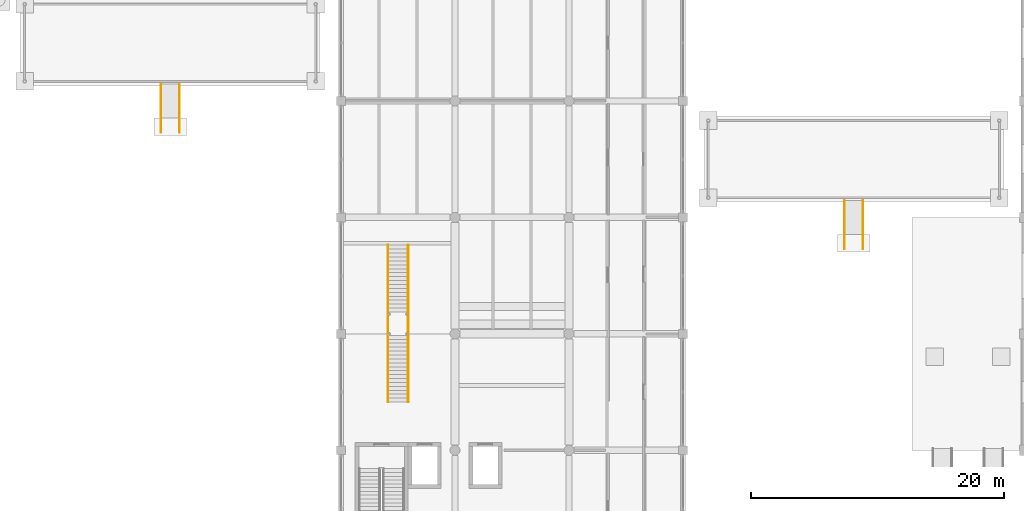
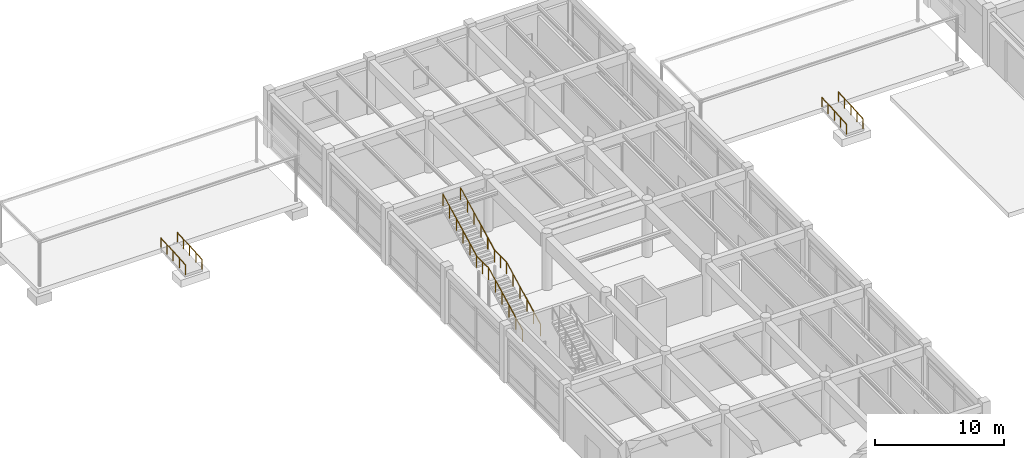
# One storey, part 72 of 76: 10 railings.
"""IFC4 building model written with IfcOpenShell, lengths in metres."""

import ifcopenshell
import ifcopenshell.guid

model = None  # the IFC model being written
_history = None  # IfcOwnerHistory: only IFC2X3 demands one
_inside = {}  # id of a spatial element -> (the spatial element, [elements in it])
_under = {}  # id of a project, library or spatial element -> (it, [spatial elements below it])
_declared = {}  # id of a project -> (the project, [libraries it declares])
_typed = {}  # id of a type object -> (the type object, [elements of that type])
_made_of = {}  # id of a material, layer set ... -> (it, [elements and type objects made of it])


def new_model(schema):
    """Start an empty IFC model of exactly this schema.

    Asked for "IFC4X3", IfcOpenShell would pick the latest addendum, in which some entities
    have other attributes; the version numbers below select the first issue.
    IFC2X3 requires an IfcOwnerHistory on every rooted entity: one is made here for all.
    """
    global model, _history
    if schema == "IFC4X3":
        model = ifcopenshell.file(schema_version=(4, 3, 0, 0))
    else:
        model = ifcopenshell.file(schema=schema)
    _inside.clear()
    _under.clear()
    _declared.clear()
    _typed.clear()
    _made_of.clear()
    _history = None
    if model.schema == "IFC2X3":
        org = make("IfcOrganization", Name="unknown")
        user = make(
            "IfcPersonAndOrganization",
            ThePerson=make("IfcPerson", FamilyName="unknown"),
            TheOrganization=org,
        )
        app = make(
            "IfcApplication",
            ApplicationDeveloper=org,
            Version="unknown",
            ApplicationFullName="unknown",
            ApplicationIdentifier="unknown",
        )
        _history = make(
            "IfcOwnerHistory",
            OwningUser=user,
            OwningApplication=app,
            ChangeAction="ADDED",
            CreationDate=0,
        )
    return model


def make(cls, **values):
    """One entity of the class cls with the attributes given. An attribute that is None is left unset."""
    return model.create_entity(
        cls, **{name: value for name, value in values.items() if value is not None}
    )


def rooted(cls, **values):
    """An entity with a GlobalId (a new one), such as an element, a storey or a relation."""
    return make(cls, GlobalId=ifcopenshell.guid.new(), OwnerHistory=_history, **values)


def si_unit(unit_type, name, prefix=None):
    """IfcSIUnit, for example si_unit("LENGTHUNIT", "METRE", prefix="MILLI")."""
    return make("IfcSIUnit", UnitType=unit_type, Prefix=prefix, Name=name)


def assignment(units):
    """IfcUnitAssignment: the units of a project."""
    return None if units is None else make("IfcUnitAssignment", Units=units)


def point(xyz):
    """IfcCartesianPoint."""
    return None if xyz is None else make("IfcCartesianPoint", Coordinates=xyz)


def direction(xyz):
    """IfcDirection."""
    return None if xyz is None else make("IfcDirection", DirectionRatios=xyz)


def frame(location, z_axis=None, x_axis=None):
    """IfcAxis2Placement3D, a coordinate frame: its origin and axes. An axis left out is left unset."""
    return make(
        "IfcAxis2Placement3D",
        Location=point(location),
        Axis=direction(z_axis),
        RefDirection=direction(x_axis),
    )


def frame_2d(location, x_axis=None):
    """IfcAxis2Placement2D, a coordinate frame in the plane: its origin and x axis."""
    return make(
        "IfcAxis2Placement2D", Location=point(location), RefDirection=direction(x_axis)
    )


def origin():
    """The frame at (0, 0, 0) with its axes left unset."""
    return frame((0.0, 0.0, 0.0))


def origin_2d():
    """The frame at (0, 0) in the plane with its x axis left unset."""
    return frame_2d((0.0, 0.0))


def place(relative_to, where):
    """IfcLocalPlacement: puts the frame where relative to a parent placement (None: the world)."""
    return make(
        "IfcLocalPlacement", PlacementRelTo=relative_to, RelativePlacement=where
    )


def context(
    kind, dimensions, precision=None, world=None, true_north=None, identifier=None
):
    """IfcGeometricRepresentationContext, for example the 3D "Model" context."""
    return make(
        "IfcGeometricRepresentationContext",
        ContextIdentifier=identifier,
        ContextType=kind,
        CoordinateSpaceDimension=dimensions,
        Precision=precision,
        WorldCoordinateSystem=world,
        TrueNorth=true_north,
    )


def subcontext(parent, identifier, kind, view, scale=None):
    """IfcGeometricRepresentationSubContext, for example "Body" below "Model"."""
    return make(
        "IfcGeometricRepresentationSubContext",
        ContextIdentifier=identifier,
        ContextType=kind,
        ParentContext=parent,
        TargetScale=scale,
        TargetView=view,
    )


def project(units=None, contexts=None):
    """IfcProject with its units and contexts."""
    return rooted(
        "IfcProject",
        Name="project",
        RepresentationContexts=contexts,
        UnitsInContext=assignment(units),
    )


def spatial(cls, under=None, at=None, **own):
    """A site, building, storey or space (cls), placed at a placement, below another one or the project."""
    s = rooted(cls, ObjectPlacement=at, **own)
    if under is not None:
        _under.setdefault(under.id(), (under, []))[1].append(s)
    return s


def profile(cls, at=None, kind="AREA", **sizes):
    """A parametric profile (cls). Its sizes go by their IFC names, for example OverallWidth=200.0."""
    return make(cls, ProfileType=kind, Position=at, **sizes)


def circle(**sizes):
    """IfcCircleProfileDef."""
    return profile("IfcCircleProfileDef", **sizes)


def extrude(swept, where, along, depth):
    """IfcExtrudedAreaSolid: the profile swept, set in the frame where, extruded along a direction by depth."""
    return make(
        "IfcExtrudedAreaSolid",
        SweptArea=swept,
        Position=where,
        ExtrudedDirection=direction(along),
        Depth=depth,
    )


def shape(context_of_items, identifier, shape_type, items):
    """IfcShapeRepresentation: the items that make up one representation, for example the "Body"."""
    return make(
        "IfcShapeRepresentation",
        ContextOfItems=context_of_items,
        RepresentationIdentifier=identifier,
        RepresentationType=shape_type,
        Items=items,
    )


def material(Name=None, Category=None):
    """IfcMaterial."""
    return make("IfcMaterial", Name=Name, Category=Category)


def made_of(thing, what):
    """Note that an element or type object is made of a material, layer set ...; save() writes the relation."""
    if what is not None:
        _made_of.setdefault(what.id(), (what, []))[1].append(thing)
    return thing


def type_object(cls, material=None, **own):
    """A type object (cls), such as IfcWallType, which elements share."""
    return made_of(rooted(cls, **own), material)


def element(
    cls,
    number,
    at=None,
    inside=None,
    cuts=None,
    type_object=None,
    material=None,
    context=None,
    identifier="Body",
    shape_type=None,
    held_by="IfcProductDefinitionShape",
    body=None,
    shapes=None,
    **own,
):
    """One element of the class cls, such as IfcWall. Its Tag is "e" and its number.

    at: its placement. inside: the storey or other place that contains it. cuts: it is an
    opening in that element (IfcRelVoidsElement). A single representation is given by context,
    identifier, shape_type and body (its items); several are given by shapes. held_by: the class
    of the entity that holds the representations. save() writes the other relations.
    """
    e = rooted(cls, Tag="e%d" % number, ObjectPlacement=at, **own)
    if body is not None:
        shapes = [shape(context, identifier, shape_type, body)]
    if shapes is not None:
        e.Representation = make(held_by, Representations=shapes)
    if inside is not None:
        _inside.setdefault(inside.id(), (inside, []))[1].append(e)
    if cuts is not None:
        rooted(
            "IfcRelVoidsElement", RelatingBuildingElement=cuts, RelatedOpeningElement=e
        )
    if type_object is not None:
        _typed.setdefault(type_object.id(), (type_object, []))[1].append(e)
    return made_of(e, material)


def aggregate(whole, parts):
    """IfcRelAggregates: a whole, such as a stair, and the parts it consists of."""
    return rooted("IfcRelAggregates", RelatingObject=whole, RelatedObjects=parts)


def save(model, path):
    """Write the relations noted so far, then the file.

    IfcRelAggregates (storeys below a building ...), IfcRelContainedInSpatialStructure (elements
    in a storey), IfcRelDefinesByType, IfcRelAssociatesMaterial and IfcRelDeclares: one each for
    every whole, place, type object, material and project.
    """
    for whole, parts in _under.values():
        aggregate(whole, parts)
    for where, things in _inside.values():
        rooted(
            "IfcRelContainedInSpatialStructure",
            RelatedElements=things,
            RelatingStructure=where,
        )
    for kind, things in _typed.values():
        rooted("IfcRelDefinesByType", RelatedObjects=things, RelatingType=kind)
    for what, things in _made_of.values():
        rooted("IfcRelAssociatesMaterial", RelatedObjects=things, RelatingMaterial=what)
    for by, libraries in _declared.values():
        rooted("IfcRelDeclares", RelatingContext=by, RelatedDefinitions=libraries)
    model.write(path)


model = new_model("IFC4")

# Units and contexts
model_context = context("Model", 3, precision=1e-05, world=origin(), true_north=direction((0.0, 1.0)))
body_context = subcontext(model_context, "Body", "Model", "MODEL_VIEW")
ifc_project = project(units=[si_unit("LENGTHUNIT", "METRE"), si_unit("AREAUNIT", "SQUARE_METRE"), si_unit("VOLUMEUNIT", "CUBIC_METRE"), si_unit("PLANEANGLEUNIT", "RADIAN"), si_unit("MASSUNIT", "GRAM", prefix="KILO")], contexts=[model_context])

# Site, building, storey
site_placement = place(None, origin())
site = spatial("IfcSite", under=ifc_project, at=site_placement, CompositionType="ELEMENT")
building_placement = place(site_placement, origin())
building = spatial("IfcBuilding", under=site, at=building_placement, Name="Bozkorgan Art Gallery", CompositionType="ELEMENT")
storey_placement = place(building_placement, origin())
storey = spatial("IfcBuildingStorey", under=building, at=storey_placement, Name="L00", CompositionType="ELEMENT", Elevation=0.0)

# Railings
ifc_material = material(Name="Steel S355J2", Category="steel")
railing_type_1 = type_object("IfcRailingType", Name="RAIL-GRD-115", PredefinedType="GUARDRAIL", material=ifc_material)
railing_1_placement = place(storey_placement, frame((77.699951171875, 69.81005859375, 0.0)))
element("IfcRailing", 1, at=railing_1_placement, inside=storey, type_object=railing_type_1, Name="ST9 lower guard W", PredefinedType="GUARDRAIL", context=body_context, shape_type="SweptSolid", body=[
    extrude(circle(Radius=0.02392578125, at=origin_2d()), frame((0.0, 0.0, 1.1259765625), z_axis=(0.0, 0.889997253095, 0.455965886314), x_axis=(-1.0, 0.0, 0.0)), (0.0, 0.0, 1.0), 5.92138671875),
    extrude(circle(Radius=0.02099609375, at=origin_2d()), origin(), (0.0, 0.0, 1.0), 1.101806640625),
    extrude(circle(Radius=0.02099609375, at=origin_2d()), frame((0.0, 1.053955078125, 0.5400390625)), (0.0, 0.0, 1.0), 1.101806640625),
    extrude(circle(Radius=0.02099609375, at=origin_2d()), frame((0.0, 2.10791015625, 1.080078125)), (0.0, 0.0, 1.0), 1.101806640625),
    extrude(circle(Radius=0.02099609375, at=origin_2d()), frame((0.0, 3.162109375, 1.619873046875)), (0.0, 0.0, 1.0), 1.101806640625),
    extrude(circle(Radius=0.02099609375, at=origin_2d()), frame((0.0, 4.216064453125, 2.159912109375)), (0.0, 0.0, 1.0), 1.101806640625),
    extrude(circle(Radius=0.02099609375, at=origin_2d()), frame((0.0, 5.27001953125, 2.699951171875)), (0.0, 0.0, 1.0), 1.101806640625),
])
railing_2_placement = place(storey_placement, frame((77.699951171875, 75.080078125, 2.699951171875)))
element("IfcRailing", 2, at=railing_2_placement, inside=storey, type_object=railing_type_1, Name="ST9 landing guard W", PredefinedType="GUARDRAIL", context=body_context, shape_type="SweptSolid", body=[
    extrude(circle(Radius=0.02392578125, at=origin_2d()), frame((0.0, 0.0, 1.1259765625), z_axis=(0.0, 1.0, 0.0), x_axis=(-1.0, 0.0, 0.0)), (0.0, 0.0, 1.0), 1.849853515625),
    extrude(circle(Radius=0.02099609375, at=origin_2d()), origin(), (0.0, 0.0, 1.0), 1.101806640625),
    extrude(circle(Radius=0.02099609375, at=origin_2d()), frame((0.0, 0.9248046875, 0.0)), (0.0, 0.0, 1.0), 1.101806640625),
    extrude(circle(Radius=0.02099609375, at=origin_2d()), frame((0.0, 1.849853515625, 0.0)), (0.0, 0.0, 1.0), 1.101806640625),
])
for number, where, name in (
    (3, (77.699951171875, 76.929931640625, 2.699951171875), "ST9 upper guard W"),
    (4, (79.300048828125, 69.81005859375, 0.0), "ST9 lower guard E"),
):
    element("IfcRailing", number, at=place(storey_placement, frame(where)), inside=storey, type_object=railing_type_1, Name=name, PredefinedType="GUARDRAIL", context=body_context, shape_type="SweptSolid", body=[
        extrude(circle(Radius=0.02392578125, at=origin_2d()), frame((0.0, 0.0, 1.1259765625), z_axis=(0.0, 0.889997253095, 0.455965886314), x_axis=(-1.0, 0.0, 0.0)), (0.0, 0.0, 1.0), 5.92138671875),
        extrude(circle(Radius=0.02099609375, at=origin_2d()), origin(), (0.0, 0.0, 1.0), 1.101806640625),
        extrude(circle(Radius=0.02099609375, at=origin_2d()), frame((0.0, 1.053955078125, 0.5400390625)), (0.0, 0.0, 1.0), 1.101806640625),
        extrude(circle(Radius=0.02099609375, at=origin_2d()), frame((0.0, 2.10791015625, 1.080078125)), (0.0, 0.0, 1.0), 1.101806640625),
        extrude(circle(Radius=0.02099609375, at=origin_2d()), frame((0.0, 3.162109375, 1.619873046875)), (0.0, 0.0, 1.0), 1.101806640625),
        extrude(circle(Radius=0.02099609375, at=origin_2d()), frame((0.0, 4.216064453125, 2.159912109375)), (0.0, 0.0, 1.0), 1.101806640625),
        extrude(circle(Radius=0.02099609375, at=origin_2d()), frame((0.0, 5.27001953125, 2.699951171875)), (0.0, 0.0, 1.0), 1.101806640625),
    ])
railing_3_placement = place(storey_placement, frame((79.300048828125, 75.080078125, 2.699951171875)))
element("IfcRailing", 5, at=railing_3_placement, inside=storey, type_object=railing_type_1, Name="ST9 landing guard E", PredefinedType="GUARDRAIL", context=body_context, shape_type="SweptSolid", body=[
    extrude(circle(Radius=0.02392578125, at=origin_2d()), frame((0.0, 0.0, 1.1259765625), z_axis=(0.0, 1.0, 0.0), x_axis=(-1.0, 0.0, 0.0)), (0.0, 0.0, 1.0), 1.849853515625),
    extrude(circle(Radius=0.02099609375, at=origin_2d()), origin(), (0.0, 0.0, 1.0), 1.101806640625),
    extrude(circle(Radius=0.02099609375, at=origin_2d()), frame((0.0, 0.9248046875, 0.0)), (0.0, 0.0, 1.0), 1.101806640625),
    extrude(circle(Radius=0.02099609375, at=origin_2d()), frame((0.0, 1.849853515625, 0.0)), (0.0, 0.0, 1.0), 1.101806640625),
])
railing_4_placement = place(storey_placement, frame((79.300048828125, 76.929931640625, 2.699951171875)))
element("IfcRailing", 6, at=railing_4_placement, inside=storey, type_object=railing_type_1, Name="ST9 upper guard E", PredefinedType="GUARDRAIL", context=body_context, shape_type="SweptSolid", body=[
    extrude(circle(Radius=0.02392578125, at=origin_2d()), frame((0.0, 0.0, 1.1259765625), z_axis=(0.0, 0.889997253095, 0.455965886314), x_axis=(-1.0, 0.0, 0.0)), (0.0, 0.0, 1.0), 5.92138671875),
    extrude(circle(Radius=0.02099609375, at=origin_2d()), origin(), (0.0, 0.0, 1.0), 1.101806640625),
    extrude(circle(Radius=0.02099609375, at=origin_2d()), frame((0.0, 1.053955078125, 0.5400390625)), (0.0, 0.0, 1.0), 1.101806640625),
    extrude(circle(Radius=0.02099609375, at=origin_2d()), frame((0.0, 2.10791015625, 1.080078125)), (0.0, 0.0, 1.0), 1.101806640625),
    extrude(circle(Radius=0.02099609375, at=origin_2d()), frame((0.0, 3.162109375, 1.619873046875)), (0.0, 0.0, 1.0), 1.101806640625),
    extrude(circle(Radius=0.02099609375, at=origin_2d()), frame((0.0, 4.216064453125, 2.159912109375)), (0.0, 0.0, 1.0), 1.101806640625),
    extrude(circle(Radius=0.02099609375, at=origin_2d()), frame((0.0, 5.27001953125, 2.699951171875)), (0.0, 0.0, 1.0), 1.101806640625),
])
railing_type_2 = type_object("IfcRailingType", Name="RAIL-RMP-01", PredefinedType="HANDRAIL", material=ifc_material)
for number, where, name in (
    (7, (59.760009765625, 91.10009765625, -0.239990234375), "North Sculpture Walk Accessible Ramp handrail (L)"),
    (8, (61.239990234375, 91.10009765625, -0.239990234375), "North Sculpture Walk Accessible Ramp handrail (R)"),
):
    element("IfcRailing", number, at=place(storey_placement, frame(where)), inside=storey, type_object=railing_type_2, Name=name, PredefinedType="HANDRAIL", context=body_context, shape_type="SweptSolid", body=[
        extrude(circle(Radius=0.02392578125, at=origin_2d()), frame((0.0, 0.0, 0.89599609375), z_axis=(0.0, 0.998052578483, 0.062378286155), x_axis=(-1.0, 0.0, 0.0)), (0.0, 0.0, 1.0), 3.847412109375),
        extrude(circle(Radius=0.02099609375, at=origin_2d()), origin(), (0.0, 0.0, 1.0), 0.871826171875),
        extrude(circle(Radius=0.02099609375, at=origin_2d()), frame((0.0, 0.9599609375, 0.06005859375)), (0.0, 0.0, 1.0), 0.871826171875),
        extrude(circle(Radius=0.02099609375, at=origin_2d()), frame((0.0, 1.919921875, 0.1201171875)), (0.0, 0.0, 1.0), 0.871826171875),
        extrude(circle(Radius=0.02099609375, at=origin_2d()), frame((0.0, 2.8798828125, 0.179931640625)), (0.0, 0.0, 1.0), 0.871826171875),
        extrude(circle(Radius=0.02099609375, at=origin_2d()), frame((0.0, 3.83984375, 0.239990234375)), (0.0, 0.0, 1.0), 0.871826171875),
    ])
for number, where, name in (
    (9, (113.760009765625, 81.89990234375, -0.239990234375), "East Water-Court Walk Accessible Ramp handrail (L)"),
    (10, (115.239990234375, 81.89990234375, -0.239990234375), "East Water-Court Walk Accessible Ramp handrail (R)"),
):
    element("IfcRailing", number, at=place(storey_placement, frame(where)), inside=storey, type_object=railing_type_2, Name=name, PredefinedType="HANDRAIL", context=body_context, shape_type="SweptSolid", body=[
        extrude(circle(Radius=0.02392578125, at=origin_2d()), frame((0.0, 0.0, 0.89599609375), z_axis=(0.0, 0.998052825374, 0.062374335771), x_axis=(-1.0, 0.0, 0.0)), (0.0, 0.0, 1.0), 3.84765625),
        extrude(circle(Radius=0.02099609375, at=origin_2d()), origin(), (0.0, 0.0, 1.0), 0.871826171875),
        extrude(circle(Radius=0.02099609375, at=origin_2d()), frame((0.0, 0.9599609375, 0.06005859375)), (0.0, 0.0, 1.0), 0.871826171875),
        extrude(circle(Radius=0.02099609375, at=origin_2d()), frame((0.0, 1.919921875, 0.1201171875)), (0.0, 0.0, 1.0), 0.871826171875),
        extrude(circle(Radius=0.02099609375, at=origin_2d()), frame((0.0, 2.880126953125, 0.179931640625)), (0.0, 0.0, 1.0), 0.871826171875),
        extrude(circle(Radius=0.02099609375, at=origin_2d()), frame((0.0, 3.840087890625, 0.239990234375)), (0.0, 0.0, 1.0), 0.871826171875),
    ])

save(model, "model.ifc")
